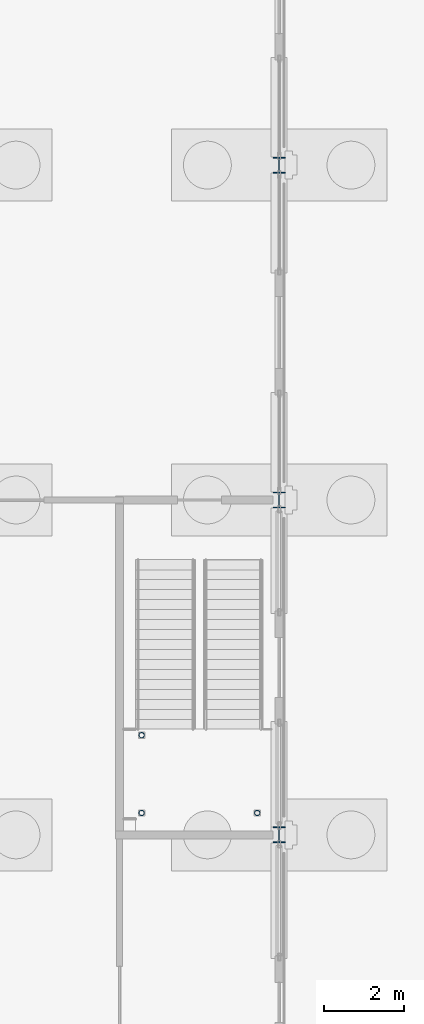
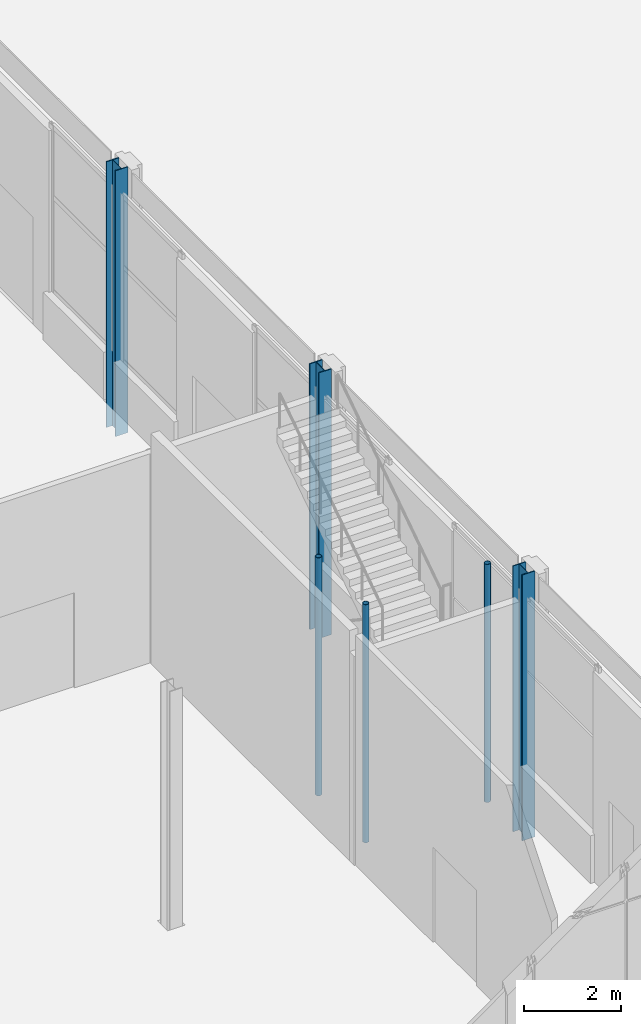
# One storey, part 31 of 212: 6 columns.
"""IFC4 building model written with IfcOpenShell, lengths in metres."""

from ifc_helpers import new_model, si_unit, direction, frame, origin, origin_2d, place, context, subcontext, project, spatial, hollow_circle, i_section, extrude, material, material_profile, profile_set, type_object, element, save


model = new_model("IFC4")

# Units and contexts
model_context = context("Model", 3, precision=1e-05, world=origin(), true_north=direction((0.0, 1.0)))
body_context = subcontext(model_context, "Body", "Model", "MODEL_VIEW")
ifc_project = project(units=[si_unit("LENGTHUNIT", "METRE"), si_unit("AREAUNIT", "SQUARE_METRE"), si_unit("VOLUMEUNIT", "CUBIC_METRE"), si_unit("PLANEANGLEUNIT", "RADIAN"), si_unit("MASSUNIT", "GRAM", prefix="KILO")], contexts=[model_context])

# Site, building, storey
site_placement = place(None, origin())
site = spatial("IfcSite", under=ifc_project, at=site_placement, CompositionType="ELEMENT")
building_placement = place(site_placement, origin())
building = spatial("IfcBuilding", under=site, at=building_placement, Name="Catenary Quay Ferry Terminal", CompositionType="ELEMENT")
storey_placement = place(building_placement, origin())
storey = spatial("IfcBuildingStorey", under=building, at=storey_placement, Name="L00", CompositionType="ELEMENT", Elevation=0.0)

# Columns
ifc_material_1 = material(Name="Steel S355", Category="steel")
ifc_material_profile_1 = material_profile(ifc_material_1, i_section(OverallWidth=0.300048828125, OverallDepth=0.39990234375, WebThickness=0.013427734375, FlangeThickness=0.02392578125, at=origin_2d()), Name="HEB 400")
ifc_profile_set_1 = profile_set([ifc_material_profile_1], Name="Steel S355")
column_type_1 = type_object("IfcColumnType", Name="C2 HEB 400", PredefinedType="COLUMN", material=ifc_profile_set_1)
for number, where, z_axis, x_axis, name in (
    (1, (67.199951171875, 168.0, -0.699951171875), (0.0, 0.0, 1.0), (1.0, 0.0, 0.0), "Column C-I21 L00"),
    (2, (67.199951171875, 176.39990234375, -0.699951171875), (0.0, 0.0, 1.0), (1.0, 0.0, 0.0), "Column C-I22 L00"),
    (3, (67.199951171875, 184.800048828125, -0.699951171875), (0.0, 0.0, 1.0), (1.0, 0.0, 0.0), "Column C-I23 L00"),
):
    element("IfcColumn", number, at=place(storey_placement, frame(where, z_axis=z_axis, x_axis=x_axis)), inside=storey, type_object=column_type_1, Name=name, PredefinedType="COLUMN", context=body_context, shape_type="SweptSolid", body=[
        extrude(i_section(OverallWidth=0.300048828125, OverallDepth=0.39990234375, WebThickness=0.013427734375, FlangeThickness=0.02392578125, at=origin_2d()), origin(), (0.0, 0.0, 1.0), 6.699951171875),
    ])
ifc_material_2 = material(Name="Steel S355", Category="steel")
ifc_material_profile_2 = material_profile(ifc_material_2, hollow_circle(Radius=0.06982421875, WallThickness=0.008056640625, at=origin_2d()), Name="CHS 139.7x8")
ifc_profile_set_2 = profile_set([ifc_material_profile_2], Name="Steel S355")
column_type_2 = type_object("IfcColumnType", Name="SP1 CHS 139.7x8", PredefinedType="COLUMN", material=ifc_profile_set_2)
for number, where, z_axis, x_axis, name in (
    (4, (63.75, 168.550048828125, 0.0), (0.0, 0.0, 1.0), (1.0, 0.0, 0.0), "Landing post HS3-L00 1"),
    (5, (66.64990234375, 168.550048828125, 0.0), (0.0, 0.0, 1.0), (1.0, 0.0, 0.0), "Landing post HS3-L00 2"),
    (6, (63.75, 170.5, 0.0), (0.0, 0.0, 1.0), (1.0, 0.0, 0.0), "Landing post HS3-L00 3"),
):
    element("IfcColumn", number, at=place(storey_placement, frame(where, z_axis=z_axis, x_axis=x_axis)), inside=storey, type_object=column_type_2, Name=name, PredefinedType="COLUMN", context=body_context, shape_type="SweptSolid", body=[
        extrude(hollow_circle(Radius=0.06982421875, WallThickness=0.008056640625, at=origin_2d()), origin(), (0.0, 0.0, 1.0), 6.0),
    ])

save(model, "model.ifc")
